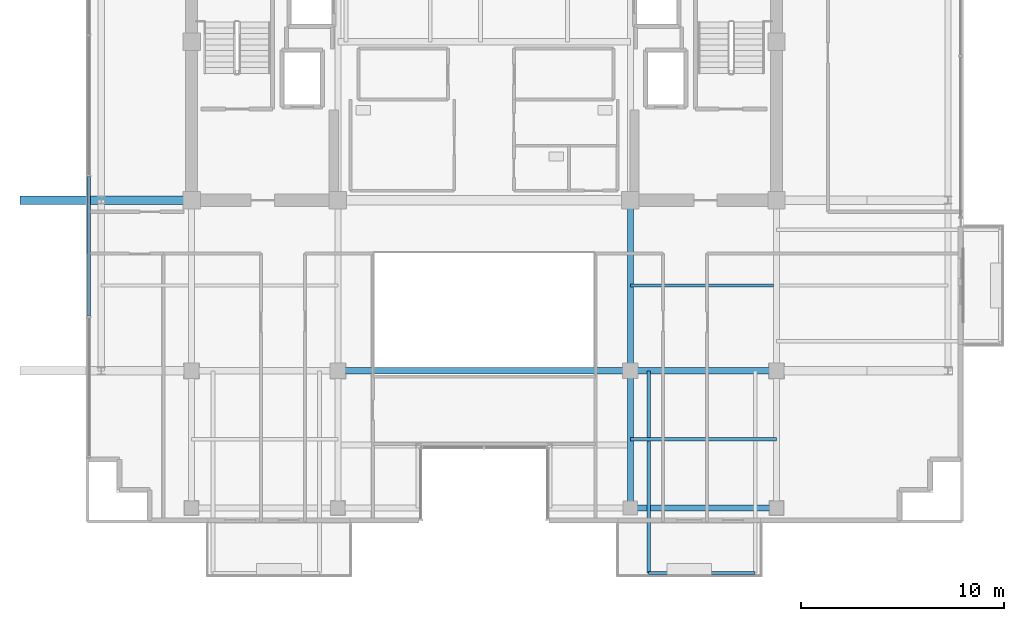
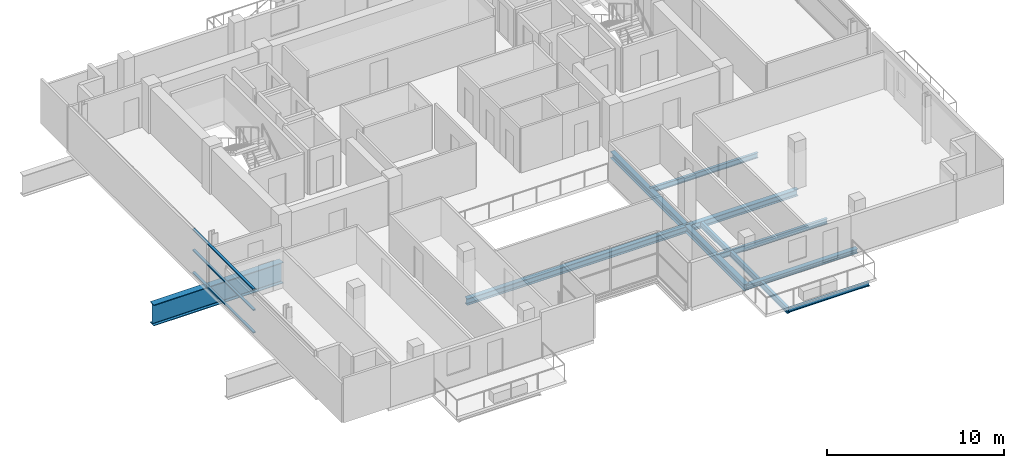
# One storey, part 6 of 23: 10 beams, 3 members, 1 element without a shape of its own.
"""IFC4 building model written with IfcOpenShell, lengths in metres."""

from ifc_helpers import new_model, si_unit, direction, frame, origin, origin_2d, place, context, subcontext, project, spatial, hollow_rectangle, i_section, extrude, source, transform, mapped, material, layer, layer_set, material_profile, profile_set, type_object, element, aggregate, save


model = new_model("IFC4")

# Units and contexts
model_context = context("Model", 3, precision=1e-05, world=origin(), true_north=direction((0.0, 1.0)))
body_context = subcontext(model_context, "Body", "Model", "MODEL_VIEW")
ifc_project = project(units=[si_unit("LENGTHUNIT", "METRE"), si_unit("AREAUNIT", "SQUARE_METRE"), si_unit("VOLUMEUNIT", "CUBIC_METRE"), si_unit("PLANEANGLEUNIT", "RADIAN"), si_unit("MASSUNIT", "GRAM", prefix="KILO")], contexts=[model_context])

# Site, building, storey
site_placement = place(None, origin())
site = spatial("IfcSite", under=ifc_project, at=site_placement, CompositionType="ELEMENT")
building_placement = place(site_placement, origin())
building = spatial("IfcBuilding", under=site, at=building_placement, Name="Zarnakvel Exchange Tower", CompositionType="ELEMENT")
storey_placement = place(building_placement, frame((0.0, 0.0, 232.0)))
storey = spatial("IfcBuildingStorey", under=building, at=storey_placement, Name="L65", CompositionType="ELEMENT", Elevation=232.0)

# Beams
ifc_material_1 = material(Name="Steel S355", Category="steel")
ifc_material_profile_1 = material_profile(ifc_material_1, i_section(OverallWidth=0.179931640625, OverallDepth=0.39990234375, WebThickness=0.008544921875, FlangeThickness=0.013427734375, FilletRadius=0.02099609375, at=origin_2d()))
ifc_profile_set_1 = profile_set([ifc_material_profile_1], Name="Steel S355")
beam_type_1 = type_object("IfcBeamType", Name="B-06", PredefinedType="JOIST", material=ifc_profile_set_1)
beam_1_placement = place(storey_placement, frame((8.10009765625, -9.60009765625, -0.425048828125), z_axis=(0.0, -1.0, 0.0), x_axis=(1.0, 0.0, 0.0)))
element("IfcBeam", 1, at=beam_1_placement, inside=storey, type_object=beam_type_1, Name="L65 Continuous Back-Spanned Balcony Beam W", PredefinedType="JOIST", context=body_context, shape_type="SweptSolid", body=[
    extrude(i_section(OverallWidth=0.179931640625, OverallDepth=0.39990234375, WebThickness=0.008544921875, FlangeThickness=0.013427734375, FilletRadius=0.02099609375, at=origin_2d()), origin(), (0.0, 0.0, 1.0), 9.949951171875),
])
ifc_material_profile_2 = material_profile(ifc_material_1, i_section(OverallWidth=0.169921875, OverallDepth=0.360107421875, WebThickness=0.008056640625, FlangeThickness=0.0126953125, FilletRadius=0.01806640625, at=origin_2d()))
ifc_profile_set_2 = profile_set([ifc_material_profile_2], Name="Steel S355")
beam_type_2 = type_object("IfcBeamType", Name="B-07", PredefinedType="JOIST", material=ifc_profile_set_2)
beam_2_placement = place(storey_placement, frame((7.199951171875, -12.97509765625, -0.405029296875), z_axis=(1.0, 0.0, 0.0), x_axis=(0.0, 1.0, 0.0)))
element("IfcBeam", 2, at=beam_2_placement, inside=storey, type_object=beam_type_2, Name="L65 Composite Floor Secondary Joist", PredefinedType="JOIST", context=body_context, shape_type="SweptSolid", body=[
    extrude(i_section(OverallWidth=0.169921875, OverallDepth=0.360107421875, WebThickness=0.008056640625, FlangeThickness=0.0126953125, FilletRadius=0.01806640625, at=origin_2d()), origin(), (0.0, 0.0, 1.0), 7.199951171875),
])
beam_3_placement = place(storey_placement, frame((7.199951171875, -5.39990234375, -0.405029296875), z_axis=(1.0, 0.0, 0.0), x_axis=(0.0, 1.0, 0.0)))
element("IfcBeam", 3, at=beam_3_placement, inside=storey, type_object=beam_type_2, Name="L65 Composite Floor Secondary Joist", PredefinedType="JOIST", context=body_context, shape_type="SweptSolid", body=[
    extrude(i_section(OverallWidth=0.169921875, OverallDepth=0.360107421875, WebThickness=0.008056640625, FlangeThickness=0.0126953125, FilletRadius=0.01806640625, at=origin_2d()), origin(), (0.0, 0.0, 1.0), 7.050048828125),
])
ifc_material_profile_3 = material_profile(ifc_material_1, i_section(OverallWidth=0.14990234375, OverallDepth=0.300048828125, WebThickness=0.007080078125, FlangeThickness=0.0107421875, FilletRadius=0.014892578125, at=origin_2d()))
ifc_profile_set_3 = profile_set([ifc_material_profile_3], Name="Steel S355")
beam_type_3 = type_object("IfcBeamType", Name="B-08", PredefinedType="JOIST", material=ifc_profile_set_3)
beam_4_placement = place(storey_placement, frame((8.10009765625, -19.550048828125, -0.375), z_axis=(1.0, 0.0, 0.0), x_axis=(0.0, 1.0, 0.0)))
element("IfcBeam", 4, at=beam_4_placement, inside=storey, type_object=beam_type_3, Name="L65 Balcony Edge Beam", PredefinedType="JOIST", context=body_context, shape_type="SweptSolid", body=[
    extrude(i_section(OverallWidth=0.14990234375, OverallDepth=0.300048828125, WebThickness=0.007080078125, FlangeThickness=0.0107421875, FilletRadius=0.014892578125, at=origin_2d()), origin(), (0.0, 0.0, 1.0), 5.25),
])
ifc_material_profile_4 = material_profile(ifc_material_1, i_section(OverallWidth=0.300048828125, OverallDepth=0.449951171875, WebThickness=0.013916015625, FlangeThickness=0.02587890625, FilletRadius=0.027099609375, at=origin_2d()))
ifc_profile_set_4 = profile_set([ifc_material_profile_4], Name="Steel S355")
beam_type_4 = type_object("IfcBeamType", Name="G-07", PredefinedType="BEAM", material=ifc_profile_set_4)
beam_5_placement = place(storey_placement, frame((-7.199951171875, -9.60009765625, -0.449951171875), z_axis=(1.0, 0.0, 0.0), x_axis=(0.0, 1.0, 0.0)))
element("IfcBeam", 5, at=beam_5_placement, inside=storey, type_object=beam_type_4, Name="L65 Tower E-W Frame Beam", PredefinedType="BEAM", context=body_context, shape_type="SweptSolid", body=[
    extrude(i_section(OverallWidth=0.300048828125, OverallDepth=0.449951171875, WebThickness=0.013916015625, FlangeThickness=0.02587890625, FilletRadius=0.027099609375, at=origin_2d()), origin(), (0.0, 0.0, 1.0), 14.39990234375),
])
beam_6_placement = place(storey_placement, frame((7.199951171875, -9.60009765625, -0.449951171875), z_axis=(1.0, 0.0, 0.0), x_axis=(0.0, 1.0, 0.0)))
element("IfcBeam", 6, at=beam_6_placement, inside=storey, type_object=beam_type_4, Name="L65 Tower E-W Frame Beam", PredefinedType="BEAM", context=body_context, shape_type="SweptSolid", body=[
    extrude(i_section(OverallWidth=0.300048828125, OverallDepth=0.449951171875, WebThickness=0.013916015625, FlangeThickness=0.02587890625, FilletRadius=0.027099609375, at=origin_2d()), origin(), (0.0, 0.0, 1.0), 7.199951171875),
])
beam_7_placement = place(storey_placement, frame((7.199951171875, -16.35009765625, -0.449951171875), z_axis=(0.0, 1.0, 0.0), x_axis=(-1.0, 0.0, 0.0)))
element("IfcBeam", 7, at=beam_7_placement, inside=storey, type_object=beam_type_4, Name="L65 Tower N-S Frame Beam", PredefinedType="BEAM", context=body_context, shape_type="SweptSolid", body=[
    extrude(i_section(OverallWidth=0.300048828125, OverallDepth=0.449951171875, WebThickness=0.013916015625, FlangeThickness=0.02587890625, FilletRadius=0.027099609375, at=origin_2d()), origin(), (0.0, 0.0, 1.0), 6.75),
])
beam_8_placement = place(storey_placement, frame((7.199951171875, -9.60009765625, -0.449951171875), z_axis=(0.0, 1.0, 0.0), x_axis=(-1.0, 0.0, 0.0)))
element("IfcBeam", 8, at=beam_8_placement, inside=storey, type_object=beam_type_4, Name="L65 Tower N-S Frame Beam", PredefinedType="BEAM", context=body_context, shape_type="SweptSolid", body=[
    extrude(i_section(OverallWidth=0.300048828125, OverallDepth=0.449951171875, WebThickness=0.013916015625, FlangeThickness=0.02587890625, FilletRadius=0.027099609375, at=origin_2d()), origin(), (0.0, 0.0, 1.0), 8.400146484375),
])
ifc_material_profile_5 = material_profile(ifc_material_1, i_section(OverallWidth=0.300048828125, OverallDepth=0.300048828125, WebThickness=0.010986328125, FlangeThickness=0.01904296875, FilletRadius=0.027099609375, at=origin_2d()))
ifc_profile_set_5 = profile_set([ifc_material_profile_5], Name="Steel S355")
beam_type_5 = type_object("IfcBeamType", Name="SP-03", PredefinedType="SPANDREL", material=ifc_profile_set_5)
beam_9_placement = place(storey_placement, frame((7.199951171875, -16.35009765625, -0.375), z_axis=(1.0, 0.0, 0.0), x_axis=(0.0, 1.0, 0.0)))
element("IfcBeam", 9, at=beam_9_placement, inside=storey, type_object=beam_type_5, Name="L65 Tower E-W Frame Beam", PredefinedType="SPANDREL", context=body_context, shape_type="SweptSolid", body=[
    extrude(i_section(OverallWidth=0.300048828125, OverallDepth=0.300048828125, WebThickness=0.010986328125, FlangeThickness=0.01904296875, FilletRadius=0.027099609375, at=origin_2d()), origin(), (0.0, 0.0, 1.0), 7.199951171875),
])
ifc_material_2 = material(Name="Steel S460", Category="steel")
ifc_material_profile_6 = material_profile(ifc_material_2, i_section(OverallWidth=0.419921875, OverallDepth=1.449951171875, WebThickness=0.02392578125, FlangeThickness=0.0400390625, FilletRadius=0.030029296875, at=origin_2d()))
ifc_profile_set_6 = profile_set([ifc_material_profile_6], Name="Steel S460")
beam_type_6 = type_object("IfcBeamType", Name="TG-01", PredefinedType="BEAM", material=ifc_profile_set_6)
beam_10_placement = place(storey_placement, frame((-22.85009765625, -1.199951171875, -0.949951171875), z_axis=(1.0, 0.0, 0.0), x_axis=(0.0, 1.0, 0.0)))
element("IfcBeam", 10, at=beam_10_placement, inside=storey, type_object=beam_type_6, Name="L65 Setback E-W Transfer Girder TW-D", PredefinedType="BEAM", context=body_context, shape_type="SweptSolid", body=[
    extrude(i_section(OverallWidth=0.419921875, OverallDepth=1.449951171875, WebThickness=0.02392578125, FlangeThickness=0.0400390625, FilletRadius=0.030029296875, at=origin_2d()), origin(), (0.0, 0.0, 1.0), 8.4501953125),
])

# Curtain wall, members
ifc_material_3 = material(Name="Architectural Bronze Anodised Aluminium", Category="aluminium")
ifc_layer = layer(ifc_material_3, 0.199951171875)
ifc_layer_set = layer_set([ifc_layer], Name="Architectural Bronze Anodised Aluminium")
curtain_wall_type = type_object("IfcCurtainWallType", Name="CW-04", PredefinedType="NOTDEFINED", material=ifc_layer_set)
curtain_wall_placement = place(storey_placement, origin())
curtain_wall = element("IfcCurtainWall", 11, at=curtain_wall_placement, inside=storey, type_object=curtain_wall_type, Name="L65 Curtain Wall CW-L65-W1 (CW-04)", PredefinedType="NOTDEFINED")
ifc_material_profile_7 = material_profile(ifc_material_3, hollow_rectangle(XDim=0.159912109375, YDim=0.074951171875, WallThickness=0.00390625, at=origin_2d()))
ifc_profile_set_7 = profile_set([ifc_material_profile_7], Name="Architectural Bronze Anodised Aluminium")
member_type = type_object("IfcMemberType", Name="CWT-04", PredefinedType="USERDEFINED", material=ifc_profile_set_7)
shared_shape = source(origin(), body_context, "Body", "SweptSolid", [
    extrude(hollow_rectangle(XDim=0.159912109375, YDim=0.074951171875, WallThickness=0.00390625, at=origin_2d()), origin(), (0.0, 0.0, 1.0), 6.875),
])
member_1_placement = place(storey_placement, frame((-19.4599609375, -6.91259765625, 0.03759765625), z_axis=(0.0, 1.0, 0.0), x_axis=(-1.0, 0.0, 0.0)))
member_1 = element("IfcMember", 12, at=member_1_placement, type_object=member_type, Name="CW-04 transom 2.1", ObjectType="TRANSOM", PredefinedType="USERDEFINED", context=body_context, shape_type="MappedRepresentation", body=[
    mapped(shared_shape, transform((0.0, 0.0, 0.0), x_axis=(1.0, 0.0, 0.0), y_axis=(0.0, 1.0, 0.0), z_axis=(0.0, 0.0, 1.0), scale=1.0)),
])
member_2_placement = place(storey_placement, frame((-19.4599609375, -6.91259765625, 1.588623046875), z_axis=(0.0, 1.0, 0.0), x_axis=(-1.0, 0.0, 0.0)))
member_2 = element("IfcMember", 13, at=member_2_placement, type_object=member_type, Name="CW-04 transom 2.2", ObjectType="TRANSOM", PredefinedType="USERDEFINED", context=body_context, shape_type="MappedRepresentation", body=[
    mapped(shared_shape, transform((0.0, 0.0, 0.0), x_axis=(1.0, 0.0, 0.0), y_axis=(0.0, 1.0, 0.0), z_axis=(0.0, 0.0, 1.0), scale=1.0)),
])
member_3_placement = place(storey_placement, frame((-19.4599609375, -6.91259765625, 3.017578125), z_axis=(0.0, 1.0, 0.0), x_axis=(-1.0, 0.0, 0.0)))
member_3 = element("IfcMember", 14, at=member_3_placement, type_object=member_type, Name="CW-04 transom 2.3", ObjectType="TRANSOM", PredefinedType="USERDEFINED", context=body_context, shape_type="MappedRepresentation", body=[
    mapped(shared_shape, transform((0.0, 0.0, 0.0), x_axis=(1.0, 0.0, 0.0), y_axis=(0.0, 1.0, 0.0), z_axis=(0.0, 0.0, 1.0), scale=1.0)),
])
aggregate(curtain_wall, [member_1, member_2, member_3])

save(model, "model.ifc")
